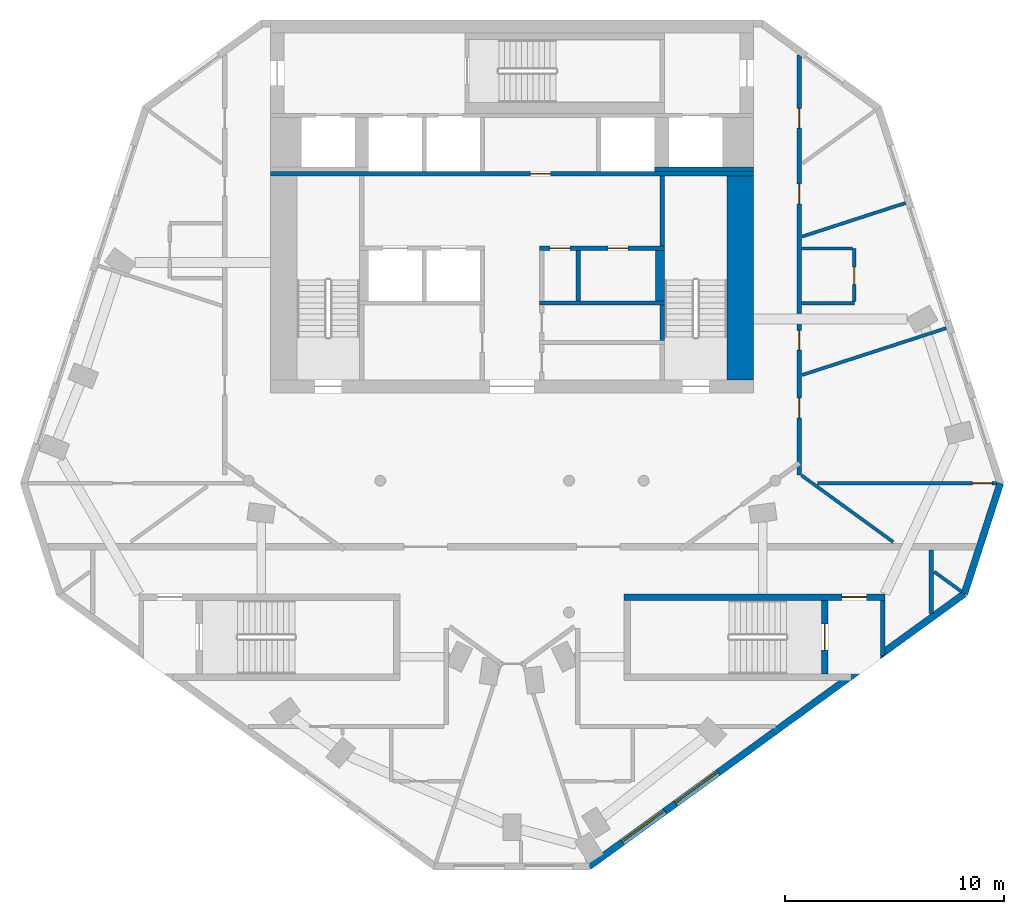
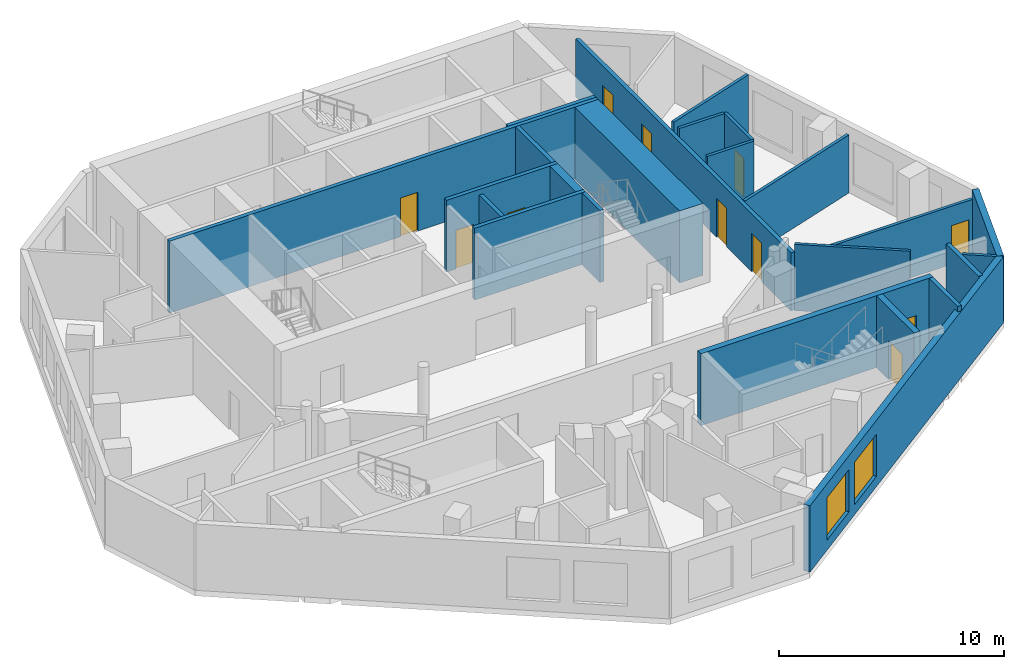
# One storey, part 4 of 8: 24 walls, 11 doors, 2 windows, 13 openings.
"""IFC4 building model written with IfcOpenShell, lengths in metres."""

from ifc_helpers import new_model, si_unit, direction, frame, frame_2d, origin, place, context, subcontext, project, spatial, rectangle, extrude, material, layer, layer_set, type_object, element, fill, save


model = new_model("IFC4")

# Units and contexts
model_context = context("Model", 3, precision=1e-05, world=origin(), true_north=direction((0.0, 1.0)))
body_context = subcontext(model_context, "Body", "Model", "MODEL_VIEW")
ifc_project = project(units=[si_unit("LENGTHUNIT", "METRE"), si_unit("AREAUNIT", "SQUARE_METRE"), si_unit("VOLUMEUNIT", "CUBIC_METRE"), si_unit("PLANEANGLEUNIT", "RADIAN"), si_unit("MASSUNIT", "GRAM", prefix="KILO")], contexts=[model_context])

# Site, building, storey
site_placement = place(None, origin())
site = spatial("IfcSite", under=ifc_project, at=site_placement, CompositionType="ELEMENT")
building_placement = place(site_placement, origin())
building = spatial("IfcBuilding", under=site, at=building_placement, Name="White Candle Pilgrim Tower", CompositionType="ELEMENT")
storey_placement = place(building_placement, frame((0.0, 0.0, 310.0)))
storey = spatial("IfcBuildingStorey", under=building, at=storey_placement, Name="L73", CompositionType="ELEMENT", Elevation=310.0)

# Walls
ifc_material_1 = material(Name="Concrete C40/50", Category="concrete")
ifc_layer_1 = layer(ifc_material_1, 0.199951171875)
ifc_layer_set_1 = layer_set([ifc_layer_1], Name="Core wall 200 mm Concrete C40/50")
wall_type_1 = type_object("IfcWallType", Name="Core wall 200 mm Concrete C40/50", PredefinedType="SHEAR", material=ifc_layer_set_1)
wall_1_placement = place(storey_placement, frame((86.89990234375, 59.023193359375, 0.0), z_axis=(0.0, 0.0, 1.0), x_axis=(0.0, 1.0, 0.0)))
element("IfcWall", 1, at=wall_1_placement, inside=storey, type_object=wall_type_1, Name="WL-L73-C08", PredefinedType="SHEAR", context=body_context, shape_type="SweptSolid", body=[
    extrude(rectangle(XDim=2.52685546875, YDim=0.199951171875, at=frame_2d((1.263427734375, 0.0))), origin(), (0.0, 0.0, 1.0), 3.89990234375),
])
wall_2_placement = place(storey_placement, frame((76.5, 81.199951171875, 0.0), z_axis=(0.0, 0.0, 1.0), x_axis=(1.0, 0.0, 0.0)))
element("IfcWall", 2, at=wall_2_placement, inside=storey, type_object=wall_type_1, Name="WL-L73-C38", PredefinedType="SHEAR", context=body_context, shape_type="SweptSolid", body=[
    extrude(rectangle(XDim=4.5, YDim=0.199951171875, at=frame_2d((2.25, 0.0))), origin(), (0.0, 0.0, 1.0), 3.89990234375),
])

# Wall, openings, doors
ifc_material_2 = material(Name="Gypsum board on steel studs", Category="steel")
ifc_layer_2 = layer(ifc_material_2, 0.199951171875)
ifc_layer_set_2 = layer_set([ifc_layer_2], Name="Corridor wall 200 mm EI 45")
wall_type_2 = type_object("IfcWallType", Name="Corridor wall 200 mm EI 45", PredefinedType="PARTITIONING", material=ifc_layer_set_2)
wall_3_placement = place(storey_placement, frame((83.10009765625, 86.396240234375, 0.0), z_axis=(0.0, 0.0, 1.0), x_axis=(0.0, -1.0, 0.0)))
wall_3 = element("IfcWall", 3, at=wall_3_placement, inside=storey, type_object=wall_type_2, Name="WL-L73-P005", PredefinedType="PARTITIONING", context=body_context, shape_type="SweptSolid", body=[
    extrude(rectangle(XDim=19.14404296875, YDim=0.199951171875, at=frame_2d((9.572021484375, 0.0))), origin(), (0.0, 0.0, 1.0), 3.14990234375),
])
opening_1_placement = place(wall_3_placement, frame((2.421630859375, 0.0, 0.0)))
opening_1 = element("IfcOpeningElement", 4, at=opening_1_placement, cuts=wall_3, Name="Opening T22-113", PredefinedType="OPENING", context=body_context, shape_type="SweptSolid", body=[
    extrude(rectangle(XDim=0.89990234375, YDim=2.10009765625, at=frame_2d((0.449951171875, 1.050048828125))), frame((0.0, 0.10986328125, 0.0), z_axis=(0.0, -1.0, 0.0), x_axis=(1.0, 0.0, 0.0)), (0.0, 0.0, 1.0), 0.219970703125),
])
opening_2_placement = place(wall_3_placement, frame((5.872802734375, 0.0, 0.0)))
opening_2 = element("IfcOpeningElement", 5, at=opening_2_placement, cuts=wall_3, Name="Opening T22-114", PredefinedType="OPENING", context=body_context, shape_type="SweptSolid", body=[
    extrude(rectangle(XDim=0.89990234375, YDim=2.10009765625, at=frame_2d((0.449951171875, 1.050048828125))), frame((0.0, 0.10986328125, 0.0), z_axis=(0.0, -1.0, 0.0), x_axis=(1.0, 0.0, 0.0)), (0.0, 0.0, 1.0), 0.219970703125),
])
opening_3_placement = place(wall_3_placement, frame((12.539306640625, 0.0, 0.0)))
opening_3 = element("IfcOpeningElement", 6, at=opening_3_placement, cuts=wall_3, Name="Opening T22-115", PredefinedType="OPENING", context=body_context, shape_type="SweptSolid", body=[
    extrude(rectangle(XDim=0.89990234375, YDim=2.10009765625, at=frame_2d((0.449951171875, 1.050048828125))), frame((0.0, 0.10986328125, 0.0), z_axis=(0.0, -1.0, 0.0), x_axis=(1.0, 0.0, 0.0)), (0.0, 0.0, 1.0), 0.219970703125),
])
opening_4_placement = place(wall_3_placement, frame((15.6279296875, 0.0, 0.0)))
opening_4 = element("IfcOpeningElement", 7, at=opening_4_placement, cuts=wall_3, Name="Opening T22-116", PredefinedType="OPENING", context=body_context, shape_type="SweptSolid", body=[
    extrude(rectangle(XDim=0.89990234375, YDim=2.10009765625, at=frame_2d((0.449951171875, 1.050048828125))), frame((0.0, 0.10986328125, 0.0), z_axis=(0.0, -1.0, 0.0), x_axis=(1.0, 0.0, 0.0)), (0.0, 0.0, 1.0), 0.219970703125),
])
ifc_material_3 = material(Name="Steel door leaf", Category="steel")
door_type_1 = type_object("IfcDoorType", Name="Fire door 900 x 2100 EI 30", OperationType="NOTDEFINED", PredefinedType="DOOR", material=ifc_material_3)
door_1_placement = place(opening_1_placement, origin())
door_1 = element("IfcDoor", 8, at=door_1_placement, inside=storey, type_object=door_type_1, Name="Door T22-113", OperationType="SINGLE_SWING_LEFT", OverallHeight=2.10009765625, OverallWidth=0.89990234375, PredefinedType="DOOR", context=body_context, shape_type="SweptSolid", body=[
    extrude(rectangle(XDim=0.89990234375, YDim=2.10009765625, at=frame_2d((0.449951171875, 1.050048828125))), frame((0.0, 0.02490234375, 0.0), z_axis=(0.0, -1.0, 0.0), x_axis=(1.0, 0.0, 0.0)), (0.0, 0.0, 1.0), 0.050048828125),
])
fill(opening_1, door_1)
door_2_placement = place(opening_2_placement, origin())
door_2 = element("IfcDoor", 9, at=door_2_placement, inside=storey, type_object=door_type_1, Name="Door T22-114", OperationType="SINGLE_SWING_RIGHT", OverallHeight=2.10009765625, OverallWidth=0.89990234375, PredefinedType="DOOR", context=body_context, shape_type="SweptSolid", body=[
    extrude(rectangle(XDim=0.89990234375, YDim=2.10009765625, at=frame_2d((0.449951171875, 1.050048828125))), frame((0.0, 0.02490234375, 0.0), z_axis=(0.0, -1.0, 0.0), x_axis=(1.0, 0.0, 0.0)), (0.0, 0.0, 1.0), 0.050048828125),
])
fill(opening_2, door_2)
door_3_placement = place(opening_3_placement, origin())
door_3 = element("IfcDoor", 10, at=door_3_placement, inside=storey, type_object=door_type_1, Name="Door T22-115", OperationType="SINGLE_SWING_LEFT", OverallHeight=2.10009765625, OverallWidth=0.89990234375, PredefinedType="DOOR", context=body_context, shape_type="SweptSolid", body=[
    extrude(rectangle(XDim=0.89990234375, YDim=2.10009765625, at=frame_2d((0.449951171875, 1.050048828125))), frame((0.0, 0.02490234375, 0.0), z_axis=(0.0, -1.0, 0.0), x_axis=(1.0, 0.0, 0.0)), (0.0, 0.0, 1.0), 0.050048828125),
])
fill(opening_3, door_3)
door_4_placement = place(opening_4_placement, origin())
door_4 = element("IfcDoor", 11, at=door_4_placement, inside=storey, type_object=door_type_1, Name="Door T22-116", OperationType="SINGLE_SWING_RIGHT", OverallHeight=2.10009765625, OverallWidth=0.89990234375, PredefinedType="DOOR", context=body_context, shape_type="SweptSolid", body=[
    extrude(rectangle(XDim=0.89990234375, YDim=2.10009765625, at=frame_2d((0.449951171875, 1.050048828125))), frame((0.0, 0.02490234375, 0.0), z_axis=(0.0, -1.0, 0.0), x_axis=(1.0, 0.0, 0.0)), (0.0, 0.0, 1.0), 0.050048828125),
])
fill(opening_4, door_4)

# Wall
wall_4_placement = place(storey_placement, frame((89.10009765625, 63.85009765625, 0.0), z_axis=(0.0, 0.0, 1.0), x_axis=(0.0, -1.0, 0.0)))
element("IfcWall", 12, at=wall_4_placement, inside=storey, type_object=wall_type_2, Name="WL-L73-P007", PredefinedType="PARTITIONING", context=body_context, shape_type="SweptSolid", body=[
    extrude(rectangle(XDim=2.90576171875, YDim=0.199951171875, at=frame_2d((1.452880859375, 0.0))), origin(), (0.0, 0.0, 1.0), 3.60009765625),
])

# Wall, openings, windows
ifc_material_4 = material(Name="Precast concrete C40/50", Category="concrete")
ifc_layer_3 = layer(ifc_material_4, 0.320068359375)
ifc_layer_set_3 = layer_set([ifc_layer_3], Name="Facade wall EW1 precast concrete C40/50 pier wall with timber-lined reveals")
wall_type_3 = type_object("IfcWallType", Name="Facade wall EW1 precast concrete C40/50 pier wall with timber-lined reveals", PredefinedType="SOLIDWALL", material=ifc_layer_set_3)
wall_5_placement = place(storey_placement, frame((73.521484375, 49.42822265625, 0.0), z_axis=(0.0, 0.0, 1.0), x_axis=(0.809014717996, 0.587788385447, 0.0)))
wall_5 = element("IfcWall", 13, at=wall_5_placement, inside=storey, type_object=wall_type_3, Name="Facade wall L73 SE", PredefinedType="SOLIDWALL", context=body_context, shape_type="SweptSolid", body=[
    extrude(rectangle(XDim=21.1357421875, YDim=0.320068359375, at=frame_2d((10.56787109375, 0.0))), origin(), (0.0, 0.0, 1.0), 3.60009765625),
])
opening_5_placement = place(wall_5_placement, frame((1.867919921875, 0.0, 0.550048828125)))
opening_5 = element("IfcOpeningElement", 14, at=opening_5_placement, cuts=wall_5, Name="Opening W5", PredefinedType="OPENING", context=body_context, shape_type="SweptSolid", body=[
    extrude(rectangle(XDim=2.39990234375, YDim=2.300048828125, at=frame_2d((1.199951171875, 1.14990234375))), frame((0.0, 0.169921875, 0.0), z_axis=(0.0, -1.0, 0.0), x_axis=(1.0, 0.0, 0.0)), (0.0, 0.0, 1.0), 0.340087890625),
])
opening_6_placement = place(wall_5_placement, frame((4.867919921875, 0.0, 0.550048828125)))
opening_6 = element("IfcOpeningElement", 15, at=opening_6_placement, cuts=wall_5, Name="Opening W5", PredefinedType="OPENING", context=body_context, shape_type="SweptSolid", body=[
    extrude(rectangle(XDim=2.39990234375, YDim=2.300048828125, at=frame_2d((1.199951171875, 1.14990234375))), frame((0.0, 0.169921875, 0.0), z_axis=(0.0, -1.0, 0.0), x_axis=(1.0, 0.0, 0.0)), (0.0, 0.0, 1.0), 0.340087890625),
])
ifc_material_5 = material(Name="Timber frame with triple glazing", Category="wood")
window_type = type_object("IfcWindowType", Name="Window W5 2400x2300 timber frame triple glazing", PartitioningType="SINGLE_PANEL", PredefinedType="WINDOW", material=ifc_material_5)
window_1_placement = place(opening_5_placement, origin())
window_1 = element("IfcWindow", 16, at=window_1_placement, inside=storey, type_object=window_type, Name="Window W5 L73 SE 1", OverallHeight=2.300048828125, OverallWidth=2.39990234375, PartitioningType="SINGLE_PANEL", PredefinedType="WINDOW", context=body_context, shape_type="SweptSolid", body=[
    extrude(rectangle(XDim=2.39990234375, YDim=2.300048828125, at=frame_2d((1.199951171875, 1.14990234375))), frame((0.0, 0.070068359375, 0.0), z_axis=(0.0, -1.0, 0.0), x_axis=(1.0, 0.0, 0.0)), (0.0, 0.0, 1.0), 0.06005859375),
])
fill(opening_5, window_1)
window_2_placement = place(opening_6_placement, origin())
window_2 = element("IfcWindow", 17, at=window_2_placement, inside=storey, type_object=window_type, Name="Window W5 L73 SE 2", OverallHeight=2.300048828125, OverallWidth=2.39990234375, PartitioningType="SINGLE_PANEL", PredefinedType="WINDOW", context=body_context, shape_type="SweptSolid", body=[
    extrude(rectangle(XDim=2.39990234375, YDim=2.300048828125, at=frame_2d((1.199951171875, 1.14990234375))), frame((0.0, 0.070068359375, 0.0), z_axis=(0.0, -1.0, 0.0), x_axis=(1.0, 0.0, 0.0)), (0.0, 0.0, 1.0), 0.06005859375),
])
fill(opening_6, window_2)

# Walls
wall_6_placement = place(storey_placement, frame((90.62060546875, 61.8515625, 0.0), z_axis=(0.0, 0.0, 1.0), x_axis=(0.30904851291, 0.951046274725, 0.0)))
element("IfcWall", 18, at=wall_6_placement, inside=storey, type_object=wall_type_3, Name="Facade wall L73 E chamfer", PredefinedType="SOLIDWALL", context=body_context, shape_type="SweptSolid", body=[
    extrude(rectangle(XDim=5.291259765625, YDim=0.320068359375, at=frame_2d((2.6455078125, 0.0))), origin(), (0.0, 0.0, 1.0), 3.60009765625),
])
ifc_layer_4 = layer(ifc_material_2, 0.199951171875)
ifc_layer_set_4 = layer_set([ifc_layer_4], Name="Lobby wall 200 mm EI 60")
wall_type_4 = type_object("IfcWallType", Name="Lobby wall 200 mm EI 60", PredefinedType="PARTITIONING", material=ifc_layer_set_4)
wall_7_placement = place(storey_placement, frame((73.02001953125, 75.199951171875, 0.0), z_axis=(0.0, 0.0, 1.0), x_axis=(0.0, 1.0, 0.0)))
element("IfcWall", 19, at=wall_7_placement, inside=storey, type_object=wall_type_4, Name="WL-L73-C27", PredefinedType="PARTITIONING", context=body_context, shape_type="SweptSolid", body=[
    extrude(rectangle(XDim=2.300048828125, YDim=0.199951171875, at=frame_2d((1.14990234375, 0.0))), origin(), (0.0, 0.0, 1.0), 3.60009765625),
])
ifc_layer_5 = layer(ifc_material_2, 0.14990234375)
ifc_layer_set_5 = layer_set([ifc_layer_5], Name="Partition 150 mm EI 60")
wall_type_5 = type_object("IfcWallType", Name="Partition 150 mm EI 60", PredefinedType="PARTITIONING", material=ifc_layer_set_5)
wall_8_placement = place(storey_placement, frame((90.484619140625, 61.950439453125, 0.0), z_axis=(0.0, 0.0, 1.0), x_axis=(-0.809059590881, 0.587726618764, 0.0)))
element("IfcWall", 20, at=wall_8_placement, inside=storey, type_object=wall_type_5, Name="WL-L73-P021", PredefinedType="PARTITIONING", context=body_context, shape_type="SweptSolid", body=[
    extrude(rectangle(XDim=1.533203125, YDim=0.14990234375, at=frame_2d((0.7666015625, 0.0))), origin(), (0.0, 0.0, 1.0), 3.60009765625),
])
wall_9_placement = place(storey_placement, frame((87.37353515625, 64.210693359375, 0.0), z_axis=(0.0, 0.0, 1.0), x_axis=(-0.809024239464, 0.587775280153, 0.0)))
element("IfcWall", 21, at=wall_9_placement, inside=storey, type_object=wall_type_5, Name="WL-L73-P022", PredefinedType="PARTITIONING", context=body_context, shape_type="SweptSolid", body=[
    extrude(rectangle(XDim=5.164306640625, YDim=0.14990234375, at=frame_2d((2.58203125, 0.0))), origin(), (0.0, 0.0, 1.0), 3.60009765625),
])

# Wall, opening, door
wall_10_placement = place(storey_placement, frame((92.08740234375, 66.8837890625, 0.0), z_axis=(0.0, 0.0, 1.0), x_axis=(-1.0, 0.0, 0.0)))
wall_10 = element("IfcWall", 22, at=wall_10_placement, inside=storey, type_object=wall_type_5, Name="WL-L73-P023", PredefinedType="PARTITIONING", context=body_context, shape_type="SweptSolid", body=[
    extrude(rectangle(XDim=8.162353515625, YDim=0.14990234375, at=frame_2d((4.0810546875, 0.0))), origin(), (0.0, 0.0, 1.0), 3.14990234375),
])
opening_7_placement = place(wall_10_placement, frame((0.199951171875, 0.0, 0.0)))
opening_7 = element("IfcOpeningElement", 23, at=opening_7_placement, cuts=wall_10, Name="Opening T22-117", PredefinedType="OPENING", context=body_context, shape_type="SweptSolid", body=[
    extrude(rectangle(XDim=0.89990234375, YDim=2.10009765625, at=frame_2d((0.449951171875, 1.050048828125))), frame((0.0, 0.0849609375, 0.0), z_axis=(0.0, -1.0, 0.0), x_axis=(1.0, 0.0, 0.0)), (0.0, 0.0, 1.0), 0.169921875),
])
door_5_placement = place(opening_7_placement, origin())
door_5 = element("IfcDoor", 24, at=door_5_placement, inside=storey, type_object=door_type_1, Name="Door T22-117", OperationType="SINGLE_SWING_LEFT", OverallHeight=2.10009765625, OverallWidth=0.89990234375, PredefinedType="DOOR", context=body_context, shape_type="SweptSolid", body=[
    extrude(rectangle(XDim=0.89990234375, YDim=2.10009765625, at=frame_2d((0.449951171875, 1.050048828125))), frame((0.0, 0.02490234375, 0.0), z_axis=(0.0, -1.0, 0.0), x_axis=(1.0, 0.0, 0.0)), (0.0, 0.0, 1.0), 0.050048828125),
])
fill(opening_7, door_5)

# Walls
wall_11_placement = place(storey_placement, frame((89.7900390625, 73.95458984375, 0.0), z_axis=(0.0, 0.0, 1.0), x_axis=(-0.951053294802, -0.309026908936, 0.0)))
element("IfcWall", 25, at=wall_11_placement, inside=storey, type_object=wall_type_5, Name="WL-L73-P033", PredefinedType="PARTITIONING", context=body_context, shape_type="SweptSolid", body=[
    extrude(rectangle(XDim=6.90478515625, YDim=0.14990234375, at=frame_2d((3.452392578125, 0.0))), origin(), (0.0, 0.0, 1.0), 3.14990234375),
])
wall_12_placement = place(storey_placement, frame((87.93603515625, 79.660888671875, 0.0), z_axis=(0.0, 0.0, 1.0), x_axis=(-0.95104565369, -0.309050424036, 0.0)))
element("IfcWall", 26, at=wall_12_placement, inside=storey, type_object=wall_type_5, Name="WL-L73-P034", PredefinedType="PARTITIONING", context=body_context, shape_type="SweptSolid", body=[
    extrude(rectangle(XDim=4.95556640625, YDim=0.14990234375, at=frame_2d((2.477783203125, 0.0))), origin(), (0.0, 0.0, 1.0), 3.60009765625),
])
wall_13_placement = place(storey_placement, frame((83.199951171875, 75.089599609375, 0.0), z_axis=(0.0, 0.0, 1.0), x_axis=(1.0, 0.0, 0.0)))
element("IfcWall", 27, at=wall_13_placement, inside=storey, type_object=wall_type_5, Name="WL-L73-P035", PredefinedType="PARTITIONING", context=body_context, shape_type="SweptSolid", body=[
    extrude(rectangle(XDim=2.400146484375, YDim=0.14990234375, at=frame_2d((1.2001953125, 0.0))), origin(), (0.0, 0.0, 1.0), 3.60009765625),
])

# Wall, opening, door
wall_14_placement = place(storey_placement, frame((85.60009765625, 77.589599609375, 0.0), z_axis=(0.0, 0.0, 1.0), x_axis=(0.0, -1.0, 0.0)))
wall_14 = element("IfcWall", 28, at=wall_14_placement, inside=storey, type_object=wall_type_5, Name="WL-L73-P036", PredefinedType="PARTITIONING", context=body_context, shape_type="SweptSolid", body=[
    extrude(rectangle(XDim=2.425048828125, YDim=0.14990234375, at=frame_2d((1.21240234375, 0.0))), origin(), (0.0, 0.0, 1.0), 3.60009765625),
])
opening_8_placement = place(wall_14_placement, frame((0.85009765625, 0.0, 0.0)))
opening_8 = element("IfcOpeningElement", 29, at=opening_8_placement, cuts=wall_14, Name="Opening T22-107", PredefinedType="OPENING", context=body_context, shape_type="SweptSolid", body=[
    extrude(rectangle(XDim=0.800048828125, YDim=2.10009765625, at=frame_2d((0.39990234375, 1.050048828125))), frame((0.0, 0.0849609375, 0.0), z_axis=(0.0, -1.0, 0.0), x_axis=(1.0, 0.0, 0.0)), (0.0, 0.0, 1.0), 0.169921875),
])
door_type_2 = type_object("IfcDoorType", Name="Fire door 800 x 2100 EI 30", OperationType="NOTDEFINED", PredefinedType="DOOR", material=ifc_material_3)
door_6_placement = place(opening_8_placement, origin())
door_6 = element("IfcDoor", 30, at=door_6_placement, inside=storey, type_object=door_type_2, Name="Door T22-107", OperationType="SINGLE_SWING_LEFT", OverallHeight=2.10009765625, OverallWidth=0.800048828125, PredefinedType="DOOR", context=body_context, shape_type="SweptSolid", body=[
    extrude(rectangle(XDim=0.800048828125, YDim=2.10009765625, at=frame_2d((0.39990234375, 1.050048828125))), frame((0.0, 0.02490234375, 0.0), z_axis=(0.0, -1.0, 0.0), x_axis=(1.0, 0.0, 0.0)), (0.0, 0.0, 1.0), 0.050048828125),
])
fill(opening_8, door_6)

# Walls
wall_15_placement = place(storey_placement, frame((83.199951171875, 77.589599609375, 0.0), z_axis=(0.0, 0.0, 1.0), x_axis=(1.0, 0.0, 0.0)))
element("IfcWall", 31, at=wall_15_placement, inside=storey, type_object=wall_type_5, Name="WL-L73-P037", PredefinedType="PARTITIONING", context=body_context, shape_type="SweptSolid", body=[
    extrude(rectangle(XDim=2.324951171875, YDim=0.14990234375, at=frame_2d((1.16259765625, 0.0))), origin(), (0.0, 0.0, 1.0), 3.60009765625),
])
ifc_layer_6 = layer(ifc_material_1, 1.199951171875)
ifc_layer_set_6 = layer_set([ifc_layer_6], Name="Stair shaft wall 1200 mm Concrete C40/50")
wall_type_6 = type_object("IfcWallType", Name="Stair shaft wall 1200 mm Concrete C40/50", PredefinedType="SHEAR", material=ifc_layer_set_6)
wall_16_placement = place(storey_placement, frame((80.39990234375, 71.60009765625, 0.0), z_axis=(0.0, 0.0, 1.0), x_axis=(0.0, 1.0, 0.0)))
element("IfcWall", 32, at=wall_16_placement, inside=storey, type_object=wall_type_6, Name="WL-L73-C17", PredefinedType="SHEAR", context=body_context, shape_type="SweptSolid", body=[
    extrude(rectangle(XDim=9.2998046875, YDim=1.199951171875, at=frame_2d((4.64990234375, 0.0))), origin(), (0.0, 0.0, 1.0), 3.89990234375),
])
ifc_layer_7 = layer(ifc_material_1, 0.199951171875)
ifc_layer_set_7 = layer_set([ifc_layer_7], Name="Stair shaft wall 200 mm Concrete C40/50")
wall_type_7 = type_object("IfcWallType", Name="Stair shaft wall 200 mm Concrete C40/50", PredefinedType="SHEAR", material=ifc_layer_set_7)
wall_17_placement = place(storey_placement, frame((76.85009765625, 73.39990234375, 0.0), z_axis=(0.0, 0.0, 1.0), x_axis=(0.0, 1.0, 0.0)))
element("IfcWall", 33, at=wall_17_placement, inside=storey, type_object=wall_type_7, Name="WL-L73-C20", PredefinedType="SHEAR", context=body_context, shape_type="SweptSolid", body=[
    extrude(rectangle(XDim=1.60009765625, YDim=0.199951171875, at=frame_2d((0.800048828125, 0.0))), origin(), (0.0, 0.0, 1.0), 3.89990234375),
])
wall_18_placement = place(storey_placement, frame((71.25, 75.10009765625, 0.0), z_axis=(0.0, 0.0, 1.0), x_axis=(1.0, 0.0, 0.0)))
element("IfcWall", 34, at=wall_18_placement, inside=storey, type_object=wall_type_7, Name="WL-L73-C22", PredefinedType="SHEAR", context=body_context, shape_type="SweptSolid", body=[
    extrude(rectangle(XDim=5.699951171875, YDim=0.199951171875, at=frame_2d((2.85009765625, 0.0))), origin(), (0.0, 0.0, 1.0), 3.89990234375),
])

# Wall, openings, doors
wall_19_placement = place(storey_placement, frame((71.25, 77.60009765625, 0.0), z_axis=(0.0, 0.0, 1.0), x_axis=(1.0, 0.0, 0.0)))
wall_19 = element("IfcWall", 35, at=wall_19_placement, inside=storey, type_object=wall_type_7, Name="WL-L73-C30", PredefinedType="SHEAR", context=body_context, shape_type="SweptSolid", body=[
    extrude(rectangle(XDim=5.699951171875, YDim=0.199951171875, at=frame_2d((2.85009765625, 0.0))), origin(), (0.0, 0.0, 1.0), 3.89990234375),
])
opening_9_placement = place(wall_19_placement, frame((0.485107421875, 0.0, 0.0)))
opening_9 = element("IfcOpeningElement", 36, at=opening_9_placement, cuts=wall_19, Name="Opening T22-020", PredefinedType="OPENING", context=body_context, shape_type="SweptSolid", body=[
    extrude(rectangle(XDim=0.89990234375, YDim=2.10009765625, at=frame_2d((0.449951171875, 1.050048828125))), frame((0.0, 0.10986328125, 0.0), z_axis=(0.0, -1.0, 0.0), x_axis=(1.0, 0.0, 0.0)), (0.0, 0.0, 1.0), 0.219970703125),
])
opening_10_placement = place(wall_19_placement, frame((3.135009765625, 0.0, 0.0)))
opening_10 = element("IfcOpeningElement", 37, at=opening_10_placement, cuts=wall_19, Name="Opening T22-021", PredefinedType="OPENING", context=body_context, shape_type="SweptSolid", body=[
    extrude(rectangle(XDim=0.89990234375, YDim=2.10009765625, at=frame_2d((0.449951171875, 1.050048828125))), frame((0.0, 0.10986328125, 0.0), z_axis=(0.0, -1.0, 0.0), x_axis=(1.0, 0.0, 0.0)), (0.0, 0.0, 1.0), 0.219970703125),
])
door_7_placement = place(opening_9_placement, origin())
door_7 = element("IfcDoor", 38, at=door_7_placement, inside=storey, type_object=door_type_1, Name="Door T22-020", OperationType="SINGLE_SWING_RIGHT", OverallHeight=2.10009765625, OverallWidth=0.89990234375, PredefinedType="DOOR", context=body_context, shape_type="SweptSolid", body=[
    extrude(rectangle(XDim=0.89990234375, YDim=2.10009765625, at=frame_2d((0.449951171875, 1.050048828125))), frame((0.0, 0.02490234375, 0.0), z_axis=(0.0, -1.0, 0.0), x_axis=(1.0, 0.0, 0.0)), (0.0, 0.0, 1.0), 0.050048828125),
])
fill(opening_9, door_7)
door_8_placement = place(opening_10_placement, origin())
door_8 = element("IfcDoor", 39, at=door_8_placement, inside=storey, type_object=door_type_1, Name="Door T22-021", OperationType="SINGLE_SWING_LEFT", OverallHeight=2.10009765625, OverallWidth=0.89990234375, PredefinedType="DOOR", context=body_context, shape_type="SweptSolid", body=[
    extrude(rectangle(XDim=0.89990234375, YDim=2.10009765625, at=frame_2d((0.449951171875, 1.050048828125))), frame((0.0, 0.02490234375, 0.0), z_axis=(0.0, -1.0, 0.0), x_axis=(1.0, 0.0, 0.0)), (0.0, 0.0, 1.0), 0.050048828125),
])
fill(opening_10, door_8)

# Wall
wall_20_placement = place(storey_placement, frame((76.85009765625, 77.699951171875, 0.0), z_axis=(0.0, 0.0, 1.0), x_axis=(0.0, 1.0, 0.0)))
element("IfcWall", 40, at=wall_20_placement, inside=storey, type_object=wall_type_7, Name="WL-L73-C32", PredefinedType="SHEAR", context=body_context, shape_type="SweptSolid", body=[
    extrude(rectangle(XDim=3.199951171875, YDim=0.199951171875, at=frame_2d((1.60009765625, 0.0))), origin(), (0.0, 0.0, 1.0), 3.89990234375),
])

# Wall, opening, door
wall_21_placement = place(storey_placement, frame((59.0, 81.0, 0.0), z_axis=(0.0, 0.0, 1.0), x_axis=(1.0, 0.0, 0.0)))
wall_21 = element("IfcWall", 41, at=wall_21_placement, inside=storey, type_object=wall_type_7, Name="WL-L73-C33", PredefinedType="SHEAR", context=body_context, shape_type="SweptSolid", body=[
    extrude(rectangle(XDim=22.0, YDim=0.199951171875, at=frame_2d((11.0, 0.0))), origin(), (0.0, 0.0, 1.0), 3.89990234375),
])
opening_11_placement = place(wall_21_placement, frame((11.85009765625, 0.0, 0.0)))
opening_11 = element("IfcOpeningElement", 42, at=opening_11_placement, cuts=wall_21, Name="Opening T22-022", PredefinedType="OPENING", context=body_context, shape_type="SweptSolid", body=[
    extrude(rectangle(XDim=0.89990234375, YDim=2.10009765625, at=frame_2d((0.449951171875, 1.050048828125))), frame((0.0, 0.10986328125, 0.0), z_axis=(0.0, -1.0, 0.0), x_axis=(1.0, 0.0, 0.0)), (0.0, 0.0, 1.0), 0.219970703125),
])
door_9_placement = place(opening_11_placement, origin())
door_9 = element("IfcDoor", 43, at=door_9_placement, inside=storey, type_object=door_type_1, Name="Door T22-022", OperationType="SINGLE_SWING_RIGHT", OverallHeight=2.10009765625, OverallWidth=0.89990234375, PredefinedType="DOOR", context=body_context, shape_type="SweptSolid", body=[
    extrude(rectangle(XDim=0.89990234375, YDim=2.10009765625, at=frame_2d((0.449951171875, 1.050048828125))), frame((0.0, 0.02490234375, 0.0), z_axis=(0.0, -1.0, 0.0), x_axis=(1.0, 0.0, 0.0)), (0.0, 0.0, 1.0), 0.050048828125),
])
fill(opening_11, door_9)

ifc_layer_8 = layer(ifc_material_1, 0.300048828125)
ifc_layer_set_8 = layer_set([ifc_layer_8], Name="Stair shaft wall 300 mm Concrete C40/50")
wall_type_8 = type_object("IfcWallType", Name="Stair shaft wall 300 mm Concrete C40/50", PredefinedType="SHEAR", material=ifc_layer_set_8)
wall_22_placement = place(storey_placement, frame((84.25, 58.199951171875, 0.0), z_axis=(0.0, 0.0, 1.0), x_axis=(0.0, 1.0, 0.0)))
wall_22 = element("IfcWall", 44, at=wall_22_placement, inside=storey, type_object=wall_type_8, Name="WL-L73-C06", PredefinedType="SHEAR", context=body_context, shape_type="SweptSolid", body=[
    extrude(rectangle(XDim=3.35009765625, YDim=0.300048828125, at=frame_2d((1.675048828125, 0.0))), origin(), (0.0, 0.0, 1.0), 3.89990234375),
])
opening_12_placement = place(wall_22_placement, frame((1.074951171875, 0.0, 0.0)))
opening_12 = element("IfcOpeningElement", 45, at=opening_12_placement, cuts=wall_22, Name="Opening T22-013", PredefinedType="OPENING", context=body_context, shape_type="SweptSolid", body=[
    extrude(rectangle(XDim=1.199951171875, YDim=2.10009765625, at=frame_2d((0.60009765625, 1.050048828125))), frame((0.0, 0.159912109375, 0.0), z_axis=(0.0, -1.0, 0.0), x_axis=(1.0, 0.0, 0.0)), (0.0, 0.0, 1.0), 0.320068359375),
])
door_type_3 = type_object("IfcDoorType", Name="Fire door 1200 x 2100 EI 60", OperationType="NOTDEFINED", PredefinedType="DOOR", material=ifc_material_3)
door_10_placement = place(opening_12_placement, origin())
door_10 = element("IfcDoor", 46, at=door_10_placement, inside=storey, type_object=door_type_3, Name="Door T22-013", OperationType="SINGLE_SWING_LEFT", OverallHeight=2.10009765625, OverallWidth=1.199951171875, PredefinedType="DOOR", context=body_context, shape_type="SweptSolid", body=[
    extrude(rectangle(XDim=1.199951171875, YDim=2.10009765625, at=frame_2d((0.60009765625, 1.050048828125))), frame((0.0, 0.02490234375, 0.0), z_axis=(0.0, -1.0, 0.0), x_axis=(1.0, 0.0, 0.0)), (0.0, 0.0, 1.0), 0.050048828125),
])
fill(opening_12, door_10)

wall_23_placement = place(storey_placement, frame((75.10009765625, 61.699951171875, 0.0), z_axis=(0.0, 0.0, 1.0), x_axis=(1.0, 0.0, 0.0)))
wall_23 = element("IfcWall", 47, at=wall_23_placement, inside=storey, type_object=wall_type_8, Name="WL-L73-C10", PredefinedType="SHEAR", context=body_context, shape_type="SweptSolid", body=[
    extrude(rectangle(XDim=11.89990234375, YDim=0.300048828125, at=frame_2d((5.949951171875, 0.0))), origin(), (0.0, 0.0, 1.0), 3.89990234375),
])
opening_13_placement = place(wall_23_placement, frame((9.949951171875, 0.0, 0.0)))
opening_13 = element("IfcOpeningElement", 48, at=opening_13_placement, cuts=wall_23, Name="Opening T22-012", PredefinedType="OPENING", context=body_context, shape_type="SweptSolid", body=[
    extrude(rectangle(XDim=1.10009765625, YDim=2.10009765625, at=frame_2d((0.550048828125, 1.050048828125))), frame((0.0, 0.159912109375, 0.0), z_axis=(0.0, -1.0, 0.0), x_axis=(1.0, 0.0, 0.0)), (0.0, 0.0, 1.0), 0.320068359375),
])
door_type_4 = type_object("IfcDoorType", Name="Fire door 1100 x 2100 EI 60", OperationType="NOTDEFINED", PredefinedType="DOOR", material=ifc_material_3)
door_11_placement = place(opening_13_placement, frame((1.10009765625, 0.0, 0.0), z_axis=(0.0, 0.0, 1.0), x_axis=(-1.0, 0.0, 0.0)))
door_11 = element("IfcDoor", 49, at=door_11_placement, inside=storey, type_object=door_type_4, Name="Door T22-012", OperationType="SINGLE_SWING_LEFT", OverallHeight=2.10009765625, OverallWidth=1.10009765625, PredefinedType="DOOR", context=body_context, shape_type="SweptSolid", body=[
    extrude(rectangle(XDim=1.10009765625, YDim=2.10009765625, at=frame_2d((0.550048828125, 1.050048828125))), frame((0.0, 0.02490234375, 0.0), z_axis=(0.0, -1.0, 0.0), x_axis=(1.0, 0.0, 0.0)), (0.0, 0.0, 1.0), 0.050048828125),
])
fill(opening_13, door_11)

# Wall
ifc_layer_9 = layer(ifc_material_1, 0.39990234375)
ifc_layer_set_9 = layer_set([ifc_layer_9], Name="Stair shaft wall 400 mm Concrete C40/50")
wall_type_9 = type_object("IfcWallType", Name="Stair shaft wall 400 mm Concrete C40/50", PredefinedType="SHEAR", material=ifc_layer_set_9)
wall_24_placement = place(storey_placement, frame((76.75, 75.199951171875, 0.0), z_axis=(0.0, 0.0, 1.0), x_axis=(0.0, 1.0, 0.0)))
element("IfcWall", 50, at=wall_24_placement, inside=storey, type_object=wall_type_9, Name="WL-L73-C28", PredefinedType="SHEAR", context=body_context, shape_type="SweptSolid", body=[
    extrude(rectangle(XDim=2.300048828125, YDim=0.39990234375, at=frame_2d((1.14990234375, 0.0))), origin(), (0.0, 0.0, 1.0), 3.89990234375),
])

save(model, "model.ifc")
